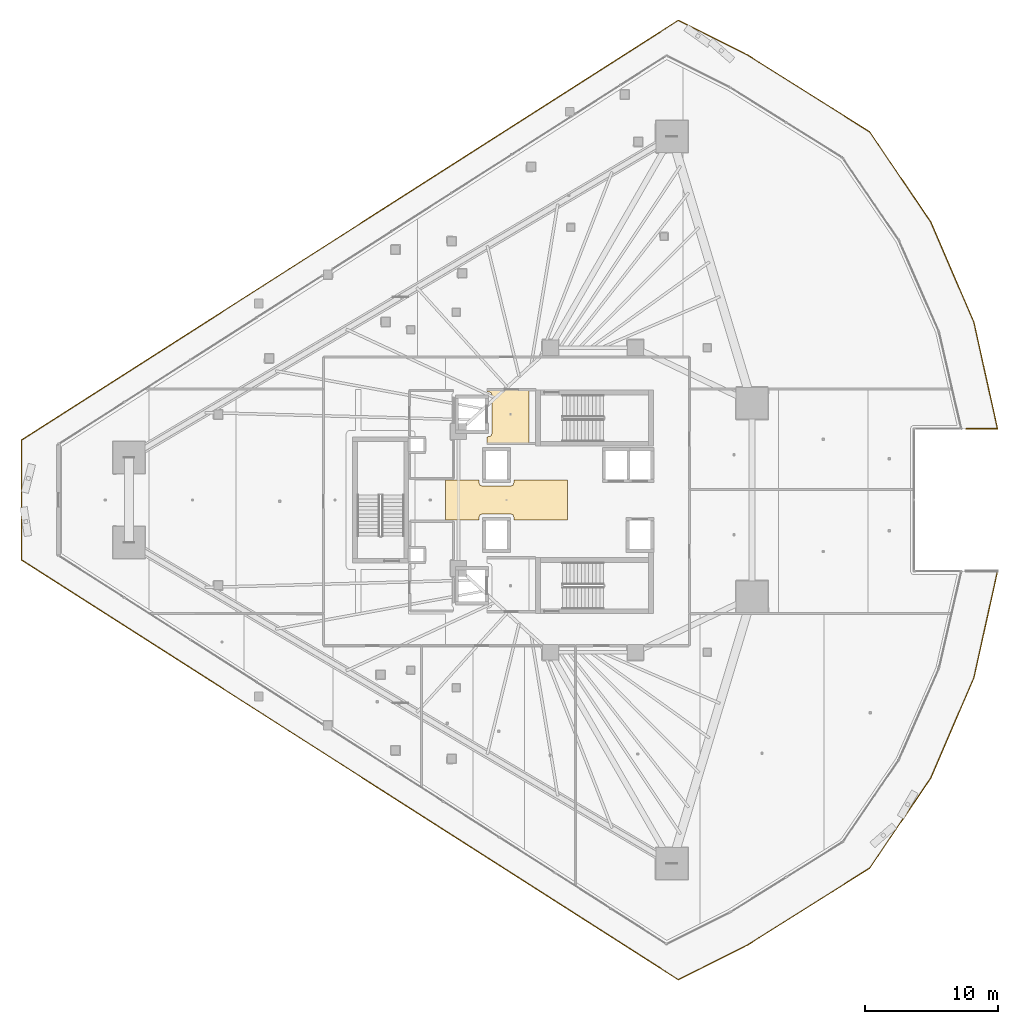
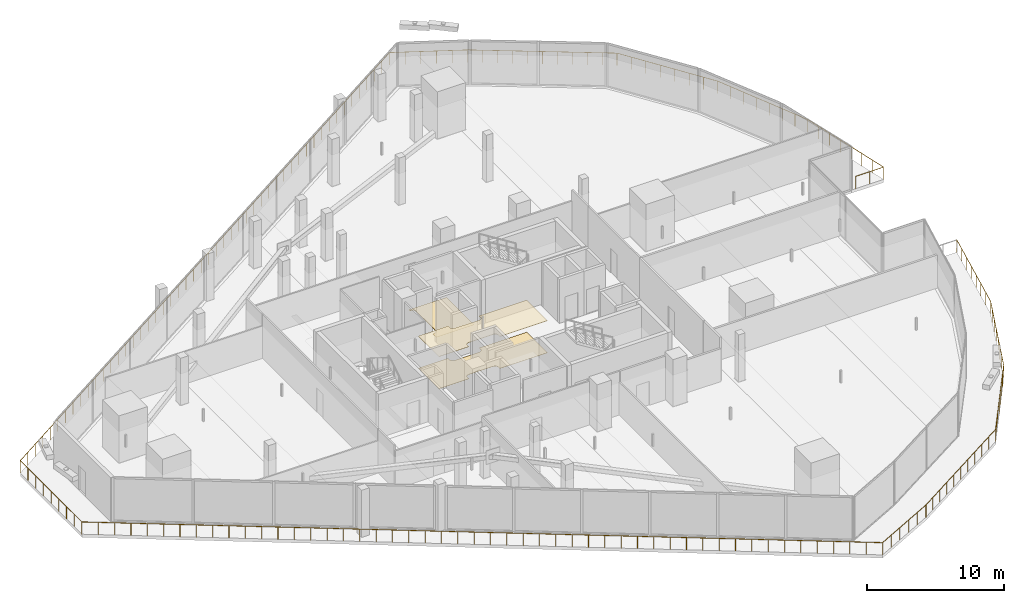
# One storey, part 43 of 45: 3 coverings, 1 railing.
"""IFC4 building model written with IfcOpenShell, lengths in metres."""

from ifc_helpers import new_model, si_unit, direction, frame, origin, origin_2d, place, context, subcontext, project, spatial, polyline, circle, outline, extrude, material, layer, layer_set, type_object, element, save


model = new_model("IFC4")

# Units and contexts
model_context = context("Model", 3, precision=1e-05, world=origin(), true_north=direction((0.0, 1.0)))
body_context = subcontext(model_context, "Body", "Model", "MODEL_VIEW")
ifc_project = project(units=[si_unit("LENGTHUNIT", "METRE"), si_unit("AREAUNIT", "SQUARE_METRE"), si_unit("VOLUMEUNIT", "CUBIC_METRE"), si_unit("PLANEANGLEUNIT", "RADIAN"), si_unit("MASSUNIT", "GRAM", prefix="KILO")], contexts=[model_context])

# Site, building, storey
site_placement = place(None, origin())
site = spatial("IfcSite", under=ifc_project, at=site_placement, CompositionType="ELEMENT")
building_placement = place(site_placement, origin())
building = spatial("IfcBuilding", under=site, at=building_placement, Name="Qorvath Tower", CompositionType="ELEMENT")
storey_placement = place(building_placement, frame((0.0, 0.0, 49.199951171875)))
storey = spatial("IfcBuildingStorey", under=building, at=storey_placement, Name="L10", CompositionType="ELEMENT", Elevation=49.199951171875)

# Coverings
ifc_material_1 = material(Name="Acoustic mineral fibre ceiling tile", Category="gypsum")
ifc_layer_1 = layer(ifc_material_1, 0.030029296875)
ifc_layer_set_1 = layer_set([ifc_layer_1], Name="COV-CEIL")
covering_type_1 = type_object("IfcCoveringType", Name="COV-CEIL", PredefinedType="CEILING", material=ifc_layer_set_1)
covering_1_placement = place(storey_placement, frame((0.0, 0.0, 2.85009765625)))
element("IfcCovering", 1, at=covering_1_placement, inside=storey, type_object=covering_type_1, Name="L10 Suspended Acoustic Ceiling 007", PredefinedType="CEILING", context=body_context, shape_type="SweptSolid", body=[
    extrude(outline(polyline([(-22.318359375, -1.514892578125), (-22.318359375, 1.514892578125), (-26.340087890625, 1.514892578125), (-26.340087890625, 1.2900390625), (-26.413330078125, 1.11328125), (-26.590087890625, 1.0400390625), (-28.7099609375, 1.0400390625), (-28.88671875, 1.11328125), (-28.9599609375, 1.2900390625), (-28.9599609375, 1.514892578125), (-31.481689453125, 1.514892578125), (-31.481689453125, -1.514892578125), (-28.9599609375, -1.514892578125), (-28.9599609375, -1.2900390625), (-28.88671875, -1.11328125), (-28.7099609375, -1.0400390625), (-26.590087890625, -1.0400390625), (-26.413330078125, -1.11328125), (-26.340087890625, -1.2900390625), (-26.340087890625, -1.514892578125), (-22.318359375, -1.514892578125)])), origin(), (0.0, 0.0, 1.0), 0.030029296875),
])
ifc_material_2 = material(Name="Polished epoxy terrazzo flooring", Category="concrete")
ifc_layer_2 = layer(ifc_material_2, 0.02001953125)
ifc_layer_set_2 = layer_set([ifc_layer_2], Name="COV-FLOOR-TRZ")
covering_type_2 = type_object("IfcCoveringType", Name="COV-FLOOR-TRZ", PredefinedType="FLOORING", material=ifc_layer_set_2)
covering_2_placement = place(storey_placement, origin())
element("IfcCovering", 2, at=covering_2_placement, inside=storey, type_object=covering_type_2, Name="L10 Floor Finish 001", PredefinedType="FLOORING", context=body_context, shape_type="SweptSolid", body=[
    extrude(outline(polyline([(-25.18994140625, 4.2548828125), (-25.18994140625, 8.294921875), (-28.375, 8.294921875), (-28.375, 8.159912109375), (-28.063232421875, 8.086669921875), (-27.989990234375, 7.909912109375), (-27.989990234375, 4.989990234375), (-28.063232421875, 4.813232421875), (-28.375, 4.739990234375), (-28.375, 4.2548828125), (-25.18994140625, 4.2548828125)])), origin(), (0.0, 0.0, 1.0), 0.01513671875),
])
covering_3_placement = place(storey_placement, origin())
element("IfcCovering", 3, at=covering_3_placement, inside=storey, type_object=covering_type_2, Name="L10 Floor Finish 007", PredefinedType="FLOORING", context=body_context, shape_type="SweptSolid", body=[
    extrude(outline(polyline([(-22.318359375, -1.514892578125), (-22.318359375, 1.514892578125), (-26.340087890625, 1.514892578125), (-26.340087890625, 1.2900390625), (-26.413330078125, 1.11328125), (-26.590087890625, 1.0400390625), (-28.7099609375, 1.0400390625), (-28.88671875, 1.11328125), (-28.9599609375, 1.2900390625), (-28.9599609375, 1.514892578125), (-31.481689453125, 1.514892578125), (-31.481689453125, -1.514892578125), (-28.9599609375, -1.514892578125), (-28.9599609375, -1.2900390625), (-28.88671875, -1.11328125), (-28.7099609375, -1.0400390625), (-26.590087890625, -1.0400390625), (-26.413330078125, -1.11328125), (-26.340087890625, -1.2900390625), (-26.340087890625, -1.514892578125), (-22.318359375, -1.514892578125)])), origin(), (0.0, 0.0, 1.0), 0.01513671875),
])

# Railing
ifc_material_3 = material(Name="Laminated safety glass and stainless steel AISI 316", Category="steel")
railing_type = type_object("IfcRailingType", Name="RL-EXT-GRD", PredefinedType="GUARDRAIL", material=ifc_material_3)
railing_placement = place(storey_placement, frame((10.030029296875, -5.356689453125, 0.0)))
element("IfcRailing", 4, at=railing_placement, inside=storey, type_object=railing_type, Name="Loggia Perimeter Guardrail L10-1.1", PredefinedType="GUARDRAIL", context=body_context, shape_type="SweptSolid", body=[
    extrude(circle(Radius=0.02392578125, at=origin_2d()), frame((0.0, 0.0, 1.09619140625), z_axis=(-0.216073224213, -0.976377161643, 0.0), x_axis=(0.976377161643, -0.216073224213, 0.0)), (0.0, 0.0, 1.0), 8.203125),
    extrude(circle(Radius=0.02392578125, at=origin_2d()), frame((-1.7724609375, -8.00927734375, 1.09619140625), z_axis=(-0.395484853012, -0.918472498792, 0.0), x_axis=(0.918472498792, -0.395484853012, 0.0)), (0.0, 0.0, 1.0), 8.202880859375),
    extrude(circle(Radius=0.02392578125, at=origin_2d()), frame((-5.0166015625, -15.54345703125, 1.09619140625), z_axis=(-0.560818530713, -0.827938751121, 0.0), x_axis=(0.827938751121, -0.560818530713, 0.0)), (0.0, 0.0, 1.0), 8.202880859375),
    extrude(circle(Radius=0.02392578125, at=origin_2d()), frame((-9.616943359375, -22.3349609375, 1.09619140625), z_axis=(-0.846493615639, -0.532398871789, 0.0), x_axis=(0.532398871789, -0.846493615639, 0.0)), (0.0, 0.0, 1.0), 10.908447265625),
    extrude(circle(Radius=0.02392578125, at=origin_2d()), frame((-18.850830078125, -28.142578125, 1.09619140625), z_axis=(-0.894427191, -0.4472135955, 0.0), x_axis=(0.4472135955, -0.894427191, 0.0)), (0.0, 0.0, 1.0), 5.76220703125),
    extrude(circle(Radius=0.02392578125, at=origin_2d()), frame((-24.004638671875, -30.719482421875, 1.09619140625), z_axis=(-0.842603389568, 0.538534611598, 0.0), x_axis=(-0.538534611598, -0.842603389568, 0.0)), (0.0, 0.0, 1.0), 58.61572265625),
    extrude(circle(Radius=0.02392578125, at=origin_2d()), frame((-73.39453125, 0.84716796875, 1.09619140625), z_axis=(0.0, 1.0, 0.0), x_axis=(-1.0, 0.0, 0.0)), (0.0, 0.0, 1.0), 9.01904296875),
    extrude(circle(Radius=0.02392578125, at=origin_2d()), frame((-73.39453125, 9.8662109375, 1.09619140625), z_axis=(0.842603389568, 0.538534611598, 0.0), x_axis=(-0.538534611598, 0.842603389568, 0.0)), (0.0, 0.0, 1.0), 58.61572265625),
    extrude(circle(Radius=0.02392578125, at=origin_2d()), frame((-24.004638671875, 41.432861328125, 1.09619140625), z_axis=(0.894427191, -0.4472135955, 0.0), x_axis=(0.4472135955, 0.894427191, 0.0)), (0.0, 0.0, 1.0), 5.76220703125),
    extrude(circle(Radius=0.02392578125, at=origin_2d()), frame((-18.850830078125, 38.85595703125, 1.09619140625), z_axis=(0.846493615639, -0.532398871789, 0.0), x_axis=(0.532398871789, 0.846493615639, 0.0)), (0.0, 0.0, 1.0), 10.908447265625),
    extrude(circle(Radius=0.02392578125, at=origin_2d()), frame((-9.616943359375, 33.04833984375, 1.09619140625), z_axis=(0.560818530713, -0.827938751121, 0.0), x_axis=(0.827938751121, 0.560818530713, 0.0)), (0.0, 0.0, 1.0), 8.202880859375),
    extrude(circle(Radius=0.02392578125, at=origin_2d()), frame((-5.0166015625, 26.2568359375, 1.09619140625), z_axis=(0.395484853012, -0.918472498792, 0.0), x_axis=(0.918472498792, 0.395484853012, 0.0)), (0.0, 0.0, 1.0), 8.202880859375),
    extrude(circle(Radius=0.02392578125, at=origin_2d()), frame((-1.7724609375, 18.72265625, 1.09619140625), z_axis=(0.216073224213, -0.976377161643, 0.0), x_axis=(0.976377161643, 0.216073224213, 0.0)), (0.0, 0.0, 1.0), 8.203125),
    extrude(circle(Radius=0.02392578125, at=origin_2d()), frame((0.0, 10.71337890625, 1.09619140625), z_axis=(-1.0, 0.0, 0.0), x_axis=(0.0, -1.0, 0.0)), (0.0, 0.0, 1.0), 2.3662109375),
    extrude(circle(Radius=0.02099609375, at=origin_2d()), origin(), (0.0, 0.0, 1.0), 1.072021484375),
    extrude(circle(Radius=0.02099609375, at=origin_2d()), frame((-0.253173828125, -1.144287109375, 0.0)), (0.0, 0.0, 1.0), 1.072021484375),
    extrude(circle(Radius=0.02099609375, at=origin_2d()), frame((-0.50634765625, -2.288330078125, 0.0)), (0.0, 0.0, 1.0), 1.072021484375),
    extrude(circle(Radius=0.02099609375, at=origin_2d()), frame((-0.759521484375, -3.4326171875, 0.0)), (0.0, 0.0, 1.0), 1.072021484375),
    extrude(circle(Radius=0.02099609375, at=origin_2d()), frame((-1.012939453125, -4.57666015625, 0.0)), (0.0, 0.0, 1.0), 1.072021484375),
    extrude(circle(Radius=0.02099609375, at=origin_2d()), frame((-1.26611328125, -5.720947265625, 0.0)), (0.0, 0.0, 1.0), 1.072021484375),
    extrude(circle(Radius=0.02099609375, at=origin_2d()), frame((-1.519287109375, -6.864990234375, 0.0)), (0.0, 0.0, 1.0), 1.072021484375),
    extrude(circle(Radius=0.02099609375, at=origin_2d()), frame((-1.7724609375, -8.00927734375, 0.0)), (0.0, 0.0, 1.0), 1.072021484375),
    extrude(circle(Radius=0.02099609375, at=origin_2d()), frame((-2.23583984375, -9.085693359375, 0.0)), (0.0, 0.0, 1.0), 1.072021484375),
    extrude(circle(Radius=0.02099609375, at=origin_2d()), frame((-2.699462890625, -10.161865234375, 0.0)), (0.0, 0.0, 1.0), 1.072021484375),
    extrude(circle(Radius=0.02099609375, at=origin_2d()), frame((-3.162841796875, -11.23828125, 0.0)), (0.0, 0.0, 1.0), 1.072021484375),
    extrude(circle(Radius=0.02099609375, at=origin_2d()), frame((-3.626220703125, -12.314453125, 0.0)), (0.0, 0.0, 1.0), 1.072021484375),
    extrude(circle(Radius=0.02099609375, at=origin_2d()), frame((-4.089599609375, -13.390869140625, 0.0)), (0.0, 0.0, 1.0), 1.072021484375),
    extrude(circle(Radius=0.02099609375, at=origin_2d()), frame((-4.55322265625, -14.467041015625, 0.0)), (0.0, 0.0, 1.0), 1.072021484375),
    extrude(circle(Radius=0.02099609375, at=origin_2d()), frame((-5.0166015625, -15.54345703125, 0.0)), (0.0, 0.0, 1.0), 1.072021484375),
    extrude(circle(Radius=0.02099609375, at=origin_2d()), frame((-5.673828125, -16.513671875, 0.0)), (0.0, 0.0, 1.0), 1.072021484375),
    extrude(circle(Radius=0.02099609375, at=origin_2d()), frame((-6.3310546875, -17.48388671875, 0.0)), (0.0, 0.0, 1.0), 1.072021484375),
    extrude(circle(Radius=0.02099609375, at=origin_2d()), frame((-6.98828125, -18.4541015625, 0.0)), (0.0, 0.0, 1.0), 1.072021484375),
    extrude(circle(Radius=0.02099609375, at=origin_2d()), frame((-7.645263671875, -19.42431640625, 0.0)), (0.0, 0.0, 1.0), 1.072021484375),
    extrude(circle(Radius=0.02099609375, at=origin_2d()), frame((-8.302490234375, -20.39453125, 0.0)), (0.0, 0.0, 1.0), 1.072021484375),
    extrude(circle(Radius=0.02099609375, at=origin_2d()), frame((-8.959716796875, -21.36474609375, 0.0)), (0.0, 0.0, 1.0), 1.072021484375),
    extrude(circle(Radius=0.02099609375, at=origin_2d()), frame((-9.616943359375, -22.3349609375, 0.0)), (0.0, 0.0, 1.0), 1.072021484375),
    extrude(circle(Radius=0.02099609375, at=origin_2d()), frame((-10.540283203125, -22.915771484375, 0.0)), (0.0, 0.0, 1.0), 1.072021484375),
    extrude(circle(Radius=0.02099609375, at=origin_2d()), frame((-11.463623046875, -23.49658203125, 0.0)), (0.0, 0.0, 1.0), 1.072021484375),
    extrude(circle(Radius=0.02099609375, at=origin_2d()), frame((-12.38720703125, -24.0771484375, 0.0)), (0.0, 0.0, 1.0), 1.072021484375),
    extrude(circle(Radius=0.02099609375, at=origin_2d()), frame((-13.310546875, -24.657958984375, 0.0)), (0.0, 0.0, 1.0), 1.072021484375),
    extrude(circle(Radius=0.02099609375, at=origin_2d()), frame((-14.23388671875, -25.23876953125, 0.0)), (0.0, 0.0, 1.0), 1.072021484375),
    extrude(circle(Radius=0.02099609375, at=origin_2d()), frame((-15.1572265625, -25.819580078125, 0.0)), (0.0, 0.0, 1.0), 1.072021484375),
    extrude(circle(Radius=0.02099609375, at=origin_2d()), frame((-16.08056640625, -26.400390625, 0.0)), (0.0, 0.0, 1.0), 1.072021484375),
    extrude(circle(Radius=0.02099609375, at=origin_2d()), frame((-17.004150390625, -26.98095703125, 0.0)), (0.0, 0.0, 1.0), 1.072021484375),
    extrude(circle(Radius=0.02099609375, at=origin_2d()), frame((-17.927490234375, -27.561767578125, 0.0)), (0.0, 0.0, 1.0), 1.072021484375),
    extrude(circle(Radius=0.02099609375, at=origin_2d()), frame((-18.850830078125, -28.142578125, 0.0)), (0.0, 0.0, 1.0), 1.072021484375),
    extrude(circle(Radius=0.02099609375, at=origin_2d()), frame((-19.881591796875, -28.657958984375, 0.0)), (0.0, 0.0, 1.0), 1.072021484375),
    extrude(circle(Radius=0.02099609375, at=origin_2d()), frame((-20.912353515625, -29.17333984375, 0.0)), (0.0, 0.0, 1.0), 1.072021484375),
    extrude(circle(Radius=0.02099609375, at=origin_2d()), frame((-21.943115234375, -29.688720703125, 0.0)), (0.0, 0.0, 1.0), 1.072021484375),
    extrude(circle(Radius=0.02099609375, at=origin_2d()), frame((-22.973876953125, -30.2041015625, 0.0)), (0.0, 0.0, 1.0), 1.072021484375),
    extrude(circle(Radius=0.02099609375, at=origin_2d()), frame((-24.004638671875, -30.719482421875, 0.0)), (0.0, 0.0, 1.0), 1.072021484375),
    extrude(circle(Radius=0.02099609375, at=origin_2d()), frame((-25.0126953125, -30.0751953125, 0.0)), (0.0, 0.0, 1.0), 1.072021484375),
    extrude(circle(Radius=0.02099609375, at=origin_2d()), frame((-26.0205078125, -29.43115234375, 0.0)), (0.0, 0.0, 1.0), 1.072021484375),
    extrude(circle(Radius=0.02099609375, at=origin_2d()), frame((-27.028564453125, -28.786865234375, 0.0)), (0.0, 0.0, 1.0), 1.072021484375),
    extrude(circle(Radius=0.02099609375, at=origin_2d()), frame((-28.036376953125, -28.142578125, 0.0)), (0.0, 0.0, 1.0), 1.072021484375),
    extrude(circle(Radius=0.02099609375, at=origin_2d()), frame((-29.04443359375, -27.498291015625, 0.0)), (0.0, 0.0, 1.0), 1.072021484375),
    extrude(circle(Radius=0.02099609375, at=origin_2d()), frame((-30.052490234375, -26.854248046875, 0.0)), (0.0, 0.0, 1.0), 1.072021484375),
    extrude(circle(Radius=0.02099609375, at=origin_2d()), frame((-31.060302734375, -26.2099609375, 0.0)), (0.0, 0.0, 1.0), 1.072021484375),
    extrude(circle(Radius=0.02099609375, at=origin_2d()), frame((-32.068359375, -25.565673828125, 0.0)), (0.0, 0.0, 1.0), 1.072021484375),
    extrude(circle(Radius=0.02099609375, at=origin_2d()), frame((-33.076171875, -24.921630859375, 0.0)), (0.0, 0.0, 1.0), 1.072021484375),
    extrude(circle(Radius=0.02099609375, at=origin_2d()), frame((-34.084228515625, -24.27734375, 0.0)), (0.0, 0.0, 1.0), 1.072021484375),
    extrude(circle(Radius=0.02099609375, at=origin_2d()), frame((-35.09228515625, -23.633056640625, 0.0)), (0.0, 0.0, 1.0), 1.072021484375),
    extrude(circle(Radius=0.02099609375, at=origin_2d()), frame((-36.10009765625, -22.98876953125, 0.0)), (0.0, 0.0, 1.0), 1.072021484375),
    extrude(circle(Radius=0.02099609375, at=origin_2d()), frame((-37.108154296875, -22.3447265625, 0.0)), (0.0, 0.0, 1.0), 1.072021484375),
    extrude(circle(Radius=0.02099609375, at=origin_2d()), frame((-38.115966796875, -21.700439453125, 0.0)), (0.0, 0.0, 1.0), 1.072021484375),
    extrude(circle(Radius=0.02099609375, at=origin_2d()), frame((-39.1240234375, -21.05615234375, 0.0)), (0.0, 0.0, 1.0), 1.072021484375),
    extrude(circle(Radius=0.02099609375, at=origin_2d()), frame((-40.1318359375, -20.412109375, 0.0)), (0.0, 0.0, 1.0), 1.072021484375),
    extrude(circle(Radius=0.02099609375, at=origin_2d()), frame((-41.139892578125, -19.767822265625, 0.0)), (0.0, 0.0, 1.0), 1.072021484375),
    extrude(circle(Radius=0.02099609375, at=origin_2d()), frame((-42.14794921875, -19.12353515625, 0.0)), (0.0, 0.0, 1.0), 1.072021484375),
    extrude(circle(Radius=0.02099609375, at=origin_2d()), frame((-43.15576171875, -18.479248046875, 0.0)), (0.0, 0.0, 1.0), 1.072021484375),
    extrude(circle(Radius=0.02099609375, at=origin_2d()), frame((-44.163818359375, -17.835205078125, 0.0)), (0.0, 0.0, 1.0), 1.072021484375),
    extrude(circle(Radius=0.02099609375, at=origin_2d()), frame((-45.171630859375, -17.19091796875, 0.0)), (0.0, 0.0, 1.0), 1.072021484375),
    extrude(circle(Radius=0.02099609375, at=origin_2d()), frame((-46.1796875, -16.546630859375, 0.0)), (0.0, 0.0, 1.0), 1.072021484375),
    extrude(circle(Radius=0.02099609375, at=origin_2d()), frame((-47.187744140625, -15.902587890625, 0.0)), (0.0, 0.0, 1.0), 1.072021484375),
    extrude(circle(Radius=0.02099609375, at=origin_2d()), frame((-48.195556640625, -15.25830078125, 0.0)), (0.0, 0.0, 1.0), 1.072021484375),
    extrude(circle(Radius=0.02099609375, at=origin_2d()), frame((-49.20361328125, -14.614013671875, 0.0)), (0.0, 0.0, 1.0), 1.072021484375),
    extrude(circle(Radius=0.02099609375, at=origin_2d()), frame((-50.21142578125, -13.9697265625, 0.0)), (0.0, 0.0, 1.0), 1.072021484375),
    extrude(circle(Radius=0.02099609375, at=origin_2d()), frame((-51.219482421875, -13.32568359375, 0.0)), (0.0, 0.0, 1.0), 1.072021484375),
    extrude(circle(Radius=0.02099609375, at=origin_2d()), frame((-52.2275390625, -12.681396484375, 0.0)), (0.0, 0.0, 1.0), 1.072021484375),
    extrude(circle(Radius=0.02099609375, at=origin_2d()), frame((-53.2353515625, -12.037109375, 0.0)), (0.0, 0.0, 1.0), 1.072021484375),
    extrude(circle(Radius=0.02099609375, at=origin_2d()), frame((-54.243408203125, -11.39306640625, 0.0)), (0.0, 0.0, 1.0), 1.072021484375),
    extrude(circle(Radius=0.02099609375, at=origin_2d()), frame((-55.251220703125, -10.748779296875, 0.0)), (0.0, 0.0, 1.0), 1.072021484375),
    extrude(circle(Radius=0.02099609375, at=origin_2d()), frame((-56.25927734375, -10.1044921875, 0.0)), (0.0, 0.0, 1.0), 1.072021484375),
    extrude(circle(Radius=0.02099609375, at=origin_2d()), frame((-57.267333984375, -9.460205078125, 0.0)), (0.0, 0.0, 1.0), 1.072021484375),
    extrude(circle(Radius=0.02099609375, at=origin_2d()), frame((-58.275146484375, -8.816162109375, 0.0)), (0.0, 0.0, 1.0), 1.072021484375),
    extrude(circle(Radius=0.02099609375, at=origin_2d()), frame((-59.283203125, -8.171875, 0.0)), (0.0, 0.0, 1.0), 1.072021484375),
    extrude(circle(Radius=0.02099609375, at=origin_2d()), frame((-60.291015625, -7.527587890625, 0.0)), (0.0, 0.0, 1.0), 1.072021484375),
    extrude(circle(Radius=0.02099609375, at=origin_2d()), frame((-61.299072265625, -6.883544921875, 0.0)), (0.0, 0.0, 1.0), 1.072021484375),
    extrude(circle(Radius=0.02099609375, at=origin_2d()), frame((-62.306884765625, -6.2392578125, 0.0)), (0.0, 0.0, 1.0), 1.072021484375),
    extrude(circle(Radius=0.02099609375, at=origin_2d()), frame((-63.31494140625, -5.594970703125, 0.0)), (0.0, 0.0, 1.0), 1.072021484375),
    extrude(circle(Radius=0.02099609375, at=origin_2d()), frame((-64.322998046875, -4.95068359375, 0.0)), (0.0, 0.0, 1.0), 1.072021484375),
    extrude(circle(Radius=0.02099609375, at=origin_2d()), frame((-65.330810546875, -4.306640625, 0.0)), (0.0, 0.0, 1.0), 1.072021484375),
    extrude(circle(Radius=0.02099609375, at=origin_2d()), frame((-66.3388671875, -3.662353515625, 0.0)), (0.0, 0.0, 1.0), 1.072021484375),
    extrude(circle(Radius=0.02099609375, at=origin_2d()), frame((-67.3466796875, -3.01806640625, 0.0)), (0.0, 0.0, 1.0), 1.072021484375),
    extrude(circle(Radius=0.02099609375, at=origin_2d()), frame((-68.354736328125, -2.3740234375, 0.0)), (0.0, 0.0, 1.0), 1.072021484375),
    extrude(circle(Radius=0.02099609375, at=origin_2d()), frame((-69.36279296875, -1.729736328125, 0.0)), (0.0, 0.0, 1.0), 1.072021484375),
    extrude(circle(Radius=0.02099609375, at=origin_2d()), frame((-70.37060546875, -1.08544921875, 0.0)), (0.0, 0.0, 1.0), 1.072021484375),
    extrude(circle(Radius=0.02099609375, at=origin_2d()), frame((-71.378662109375, -0.441162109375, 0.0)), (0.0, 0.0, 1.0), 1.072021484375),
    extrude(circle(Radius=0.02099609375, at=origin_2d()), frame((-72.386474609375, 0.202880859375, 0.0)), (0.0, 0.0, 1.0), 1.072021484375),
    extrude(circle(Radius=0.02099609375, at=origin_2d()), frame((-73.39453125, 0.84716796875, 0.0)), (0.0, 0.0, 1.0), 1.072021484375),
    extrude(circle(Radius=0.02099609375, at=origin_2d()), frame((-73.39453125, 1.974609375, 0.0)), (0.0, 0.0, 1.0), 1.072021484375),
    extrude(circle(Radius=0.02099609375, at=origin_2d()), frame((-73.39453125, 3.10205078125, 0.0)), (0.0, 0.0, 1.0), 1.072021484375),
    extrude(circle(Radius=0.02099609375, at=origin_2d()), frame((-73.39453125, 4.229248046875, 0.0)), (0.0, 0.0, 1.0), 1.072021484375),
    extrude(circle(Radius=0.02099609375, at=origin_2d()), frame((-73.39453125, 5.356689453125, 0.0)), (0.0, 0.0, 1.0), 1.072021484375),
    extrude(circle(Radius=0.02099609375, at=origin_2d()), frame((-73.39453125, 6.484130859375, 0.0)), (0.0, 0.0, 1.0), 1.072021484375),
    extrude(circle(Radius=0.02099609375, at=origin_2d()), frame((-73.39453125, 7.611328125, 0.0)), (0.0, 0.0, 1.0), 1.072021484375),
    extrude(circle(Radius=0.02099609375, at=origin_2d()), frame((-73.39453125, 8.73876953125, 0.0)), (0.0, 0.0, 1.0), 1.072021484375),
    extrude(circle(Radius=0.02099609375, at=origin_2d()), frame((-73.39453125, 9.8662109375, 0.0)), (0.0, 0.0, 1.0), 1.072021484375),
    extrude(circle(Radius=0.02099609375, at=origin_2d()), frame((-72.386474609375, 10.510498046875, 0.0)), (0.0, 0.0, 1.0), 1.072021484375),
    extrude(circle(Radius=0.02099609375, at=origin_2d()), frame((-71.378662109375, 11.154541015625, 0.0)), (0.0, 0.0, 1.0), 1.072021484375),
    extrude(circle(Radius=0.02099609375, at=origin_2d()), frame((-70.37060546875, 11.798828125, 0.0)), (0.0, 0.0, 1.0), 1.072021484375),
    extrude(circle(Radius=0.02099609375, at=origin_2d()), frame((-69.36279296875, 12.443115234375, 0.0)), (0.0, 0.0, 1.0), 1.072021484375),
    extrude(circle(Radius=0.02099609375, at=origin_2d()), frame((-68.354736328125, 13.08740234375, 0.0)), (0.0, 0.0, 1.0), 1.072021484375),
    extrude(circle(Radius=0.02099609375, at=origin_2d()), frame((-67.3466796875, 13.7314453125, 0.0)), (0.0, 0.0, 1.0), 1.072021484375),
    extrude(circle(Radius=0.02099609375, at=origin_2d()), frame((-66.3388671875, 14.375732421875, 0.0)), (0.0, 0.0, 1.0), 1.072021484375),
    extrude(circle(Radius=0.02099609375, at=origin_2d()), frame((-65.330810546875, 15.02001953125, 0.0)), (0.0, 0.0, 1.0), 1.072021484375),
    extrude(circle(Radius=0.02099609375, at=origin_2d()), frame((-64.322998046875, 15.6640625, 0.0)), (0.0, 0.0, 1.0), 1.072021484375),
    extrude(circle(Radius=0.02099609375, at=origin_2d()), frame((-63.31494140625, 16.308349609375, 0.0)), (0.0, 0.0, 1.0), 1.072021484375),
    extrude(circle(Radius=0.02099609375, at=origin_2d()), frame((-62.306884765625, 16.95263671875, 0.0)), (0.0, 0.0, 1.0), 1.072021484375),
    extrude(circle(Radius=0.02099609375, at=origin_2d()), frame((-61.299072265625, 17.596923828125, 0.0)), (0.0, 0.0, 1.0), 1.072021484375),
    extrude(circle(Radius=0.02099609375, at=origin_2d()), frame((-60.291015625, 18.240966796875, 0.0)), (0.0, 0.0, 1.0), 1.072021484375),
    extrude(circle(Radius=0.02099609375, at=origin_2d()), frame((-59.283203125, 18.88525390625, 0.0)), (0.0, 0.0, 1.0), 1.072021484375),
    extrude(circle(Radius=0.02099609375, at=origin_2d()), frame((-58.275146484375, 19.529541015625, 0.0)), (0.0, 0.0, 1.0), 1.072021484375),
    extrude(circle(Radius=0.02099609375, at=origin_2d()), frame((-57.267333984375, 20.173583984375, 0.0)), (0.0, 0.0, 1.0), 1.072021484375),
    extrude(circle(Radius=0.02099609375, at=origin_2d()), frame((-56.25927734375, 20.81787109375, 0.0)), (0.0, 0.0, 1.0), 1.072021484375),
    extrude(circle(Radius=0.02099609375, at=origin_2d()), frame((-55.251220703125, 21.462158203125, 0.0)), (0.0, 0.0, 1.0), 1.072021484375),
    extrude(circle(Radius=0.02099609375, at=origin_2d()), frame((-54.243408203125, 22.1064453125, 0.0)), (0.0, 0.0, 1.0), 1.072021484375),
    extrude(circle(Radius=0.02099609375, at=origin_2d()), frame((-53.2353515625, 22.75048828125, 0.0)), (0.0, 0.0, 1.0), 1.072021484375),
    extrude(circle(Radius=0.02099609375, at=origin_2d()), frame((-52.2275390625, 23.394775390625, 0.0)), (0.0, 0.0, 1.0), 1.072021484375),
    extrude(circle(Radius=0.02099609375, at=origin_2d()), frame((-51.219482421875, 24.0390625, 0.0)), (0.0, 0.0, 1.0), 1.072021484375),
    extrude(circle(Radius=0.02099609375, at=origin_2d()), frame((-50.21142578125, 24.68310546875, 0.0)), (0.0, 0.0, 1.0), 1.072021484375),
    extrude(circle(Radius=0.02099609375, at=origin_2d()), frame((-49.20361328125, 25.327392578125, 0.0)), (0.0, 0.0, 1.0), 1.072021484375),
    extrude(circle(Radius=0.02099609375, at=origin_2d()), frame((-48.195556640625, 25.9716796875, 0.0)), (0.0, 0.0, 1.0), 1.072021484375),
    extrude(circle(Radius=0.02099609375, at=origin_2d()), frame((-47.187744140625, 26.615966796875, 0.0)), (0.0, 0.0, 1.0), 1.072021484375),
    extrude(circle(Radius=0.02099609375, at=origin_2d()), frame((-46.1796875, 27.260009765625, 0.0)), (0.0, 0.0, 1.0), 1.072021484375),
    extrude(circle(Radius=0.02099609375, at=origin_2d()), frame((-45.171630859375, 27.904296875, 0.0)), (0.0, 0.0, 1.0), 1.072021484375),
    extrude(circle(Radius=0.02099609375, at=origin_2d()), frame((-44.163818359375, 28.548583984375, 0.0)), (0.0, 0.0, 1.0), 1.072021484375),
    extrude(circle(Radius=0.02099609375, at=origin_2d()), frame((-43.15576171875, 29.192626953125, 0.0)), (0.0, 0.0, 1.0), 1.072021484375),
    extrude(circle(Radius=0.02099609375, at=origin_2d()), frame((-42.14794921875, 29.8369140625, 0.0)), (0.0, 0.0, 1.0), 1.072021484375),
    extrude(circle(Radius=0.02099609375, at=origin_2d()), frame((-41.139892578125, 30.481201171875, 0.0)), (0.0, 0.0, 1.0), 1.072021484375),
    extrude(circle(Radius=0.02099609375, at=origin_2d()), frame((-40.1318359375, 31.12548828125, 0.0)), (0.0, 0.0, 1.0), 1.072021484375),
    extrude(circle(Radius=0.02099609375, at=origin_2d()), frame((-39.1240234375, 31.76953125, 0.0)), (0.0, 0.0, 1.0), 1.072021484375),
    extrude(circle(Radius=0.02099609375, at=origin_2d()), frame((-38.115966796875, 32.413818359375, 0.0)), (0.0, 0.0, 1.0), 1.072021484375),
    extrude(circle(Radius=0.02099609375, at=origin_2d()), frame((-37.108154296875, 33.05810546875, 0.0)), (0.0, 0.0, 1.0), 1.072021484375),
    extrude(circle(Radius=0.02099609375, at=origin_2d()), frame((-36.10009765625, 33.7021484375, 0.0)), (0.0, 0.0, 1.0), 1.072021484375),
    extrude(circle(Radius=0.02099609375, at=origin_2d()), frame((-35.09228515625, 34.346435546875, 0.0)), (0.0, 0.0, 1.0), 1.072021484375),
    extrude(circle(Radius=0.02099609375, at=origin_2d()), frame((-34.084228515625, 34.99072265625, 0.0)), (0.0, 0.0, 1.0), 1.072021484375),
    extrude(circle(Radius=0.02099609375, at=origin_2d()), frame((-33.076171875, 35.635009765625, 0.0)), (0.0, 0.0, 1.0), 1.072021484375),
    extrude(circle(Radius=0.02099609375, at=origin_2d()), frame((-32.068359375, 36.279052734375, 0.0)), (0.0, 0.0, 1.0), 1.072021484375),
    extrude(circle(Radius=0.02099609375, at=origin_2d()), frame((-31.060302734375, 36.92333984375, 0.0)), (0.0, 0.0, 1.0), 1.072021484375),
    extrude(circle(Radius=0.02099609375, at=origin_2d()), frame((-30.052490234375, 37.567626953125, 0.0)), (0.0, 0.0, 1.0), 1.072021484375),
    extrude(circle(Radius=0.02099609375, at=origin_2d()), frame((-29.04443359375, 38.211669921875, 0.0)), (0.0, 0.0, 1.0), 1.072021484375),
    extrude(circle(Radius=0.02099609375, at=origin_2d()), frame((-28.036376953125, 38.85595703125, 0.0)), (0.0, 0.0, 1.0), 1.072021484375),
    extrude(circle(Radius=0.02099609375, at=origin_2d()), frame((-27.028564453125, 39.500244140625, 0.0)), (0.0, 0.0, 1.0), 1.072021484375),
    extrude(circle(Radius=0.02099609375, at=origin_2d()), frame((-26.0205078125, 40.14453125, 0.0)), (0.0, 0.0, 1.0), 1.072021484375),
    extrude(circle(Radius=0.02099609375, at=origin_2d()), frame((-25.0126953125, 40.78857421875, 0.0)), (0.0, 0.0, 1.0), 1.072021484375),
    extrude(circle(Radius=0.02099609375, at=origin_2d()), frame((-24.004638671875, 41.432861328125, 0.0)), (0.0, 0.0, 1.0), 1.072021484375),
    extrude(circle(Radius=0.02099609375, at=origin_2d()), frame((-22.973876953125, 40.91748046875, 0.0)), (0.0, 0.0, 1.0), 1.072021484375),
    extrude(circle(Radius=0.02099609375, at=origin_2d()), frame((-21.943115234375, 40.402099609375, 0.0)), (0.0, 0.0, 1.0), 1.072021484375),
    extrude(circle(Radius=0.02099609375, at=origin_2d()), frame((-20.912353515625, 39.88671875, 0.0)), (0.0, 0.0, 1.0), 1.072021484375),
    extrude(circle(Radius=0.02099609375, at=origin_2d()), frame((-19.881591796875, 39.371337890625, 0.0)), (0.0, 0.0, 1.0), 1.072021484375),
    extrude(circle(Radius=0.02099609375, at=origin_2d()), frame((-18.850830078125, 38.85595703125, 0.0)), (0.0, 0.0, 1.0), 1.072021484375),
    extrude(circle(Radius=0.02099609375, at=origin_2d()), frame((-17.927490234375, 38.275146484375, 0.0)), (0.0, 0.0, 1.0), 1.072021484375),
    extrude(circle(Radius=0.02099609375, at=origin_2d()), frame((-17.004150390625, 37.6943359375, 0.0)), (0.0, 0.0, 1.0), 1.072021484375),
    extrude(circle(Radius=0.02099609375, at=origin_2d()), frame((-16.08056640625, 37.11376953125, 0.0)), (0.0, 0.0, 1.0), 1.072021484375),
    extrude(circle(Radius=0.02099609375, at=origin_2d()), frame((-15.1572265625, 36.532958984375, 0.0)), (0.0, 0.0, 1.0), 1.072021484375),
    extrude(circle(Radius=0.02099609375, at=origin_2d()), frame((-14.23388671875, 35.9521484375, 0.0)), (0.0, 0.0, 1.0), 1.072021484375),
    extrude(circle(Radius=0.02099609375, at=origin_2d()), frame((-13.310546875, 35.371337890625, 0.0)), (0.0, 0.0, 1.0), 1.072021484375),
    extrude(circle(Radius=0.02099609375, at=origin_2d()), frame((-12.38720703125, 34.79052734375, 0.0)), (0.0, 0.0, 1.0), 1.072021484375),
    extrude(circle(Radius=0.02099609375, at=origin_2d()), frame((-11.463623046875, 34.2099609375, 0.0)), (0.0, 0.0, 1.0), 1.072021484375),
    extrude(circle(Radius=0.02099609375, at=origin_2d()), frame((-10.540283203125, 33.629150390625, 0.0)), (0.0, 0.0, 1.0), 1.072021484375),
    extrude(circle(Radius=0.02099609375, at=origin_2d()), frame((-9.616943359375, 33.04833984375, 0.0)), (0.0, 0.0, 1.0), 1.072021484375),
    extrude(circle(Radius=0.02099609375, at=origin_2d()), frame((-8.959716796875, 32.078125, 0.0)), (0.0, 0.0, 1.0), 1.072021484375),
    extrude(circle(Radius=0.02099609375, at=origin_2d()), frame((-8.302490234375, 31.10791015625, 0.0)), (0.0, 0.0, 1.0), 1.072021484375),
    extrude(circle(Radius=0.02099609375, at=origin_2d()), frame((-7.645263671875, 30.1376953125, 0.0)), (0.0, 0.0, 1.0), 1.072021484375),
    extrude(circle(Radius=0.02099609375, at=origin_2d()), frame((-6.98828125, 29.16748046875, 0.0)), (0.0, 0.0, 1.0), 1.072021484375),
    extrude(circle(Radius=0.02099609375, at=origin_2d()), frame((-6.3310546875, 28.197265625, 0.0)), (0.0, 0.0, 1.0), 1.072021484375),
    extrude(circle(Radius=0.02099609375, at=origin_2d()), frame((-5.673828125, 27.22705078125, 0.0)), (0.0, 0.0, 1.0), 1.072021484375),
    extrude(circle(Radius=0.02099609375, at=origin_2d()), frame((-5.0166015625, 26.2568359375, 0.0)), (0.0, 0.0, 1.0), 1.072021484375),
    extrude(circle(Radius=0.02099609375, at=origin_2d()), frame((-4.55322265625, 25.180419921875, 0.0)), (0.0, 0.0, 1.0), 1.072021484375),
    extrude(circle(Radius=0.02099609375, at=origin_2d()), frame((-4.089599609375, 24.104248046875, 0.0)), (0.0, 0.0, 1.0), 1.072021484375),
    extrude(circle(Radius=0.02099609375, at=origin_2d()), frame((-3.626220703125, 23.02783203125, 0.0)), (0.0, 0.0, 1.0), 1.072021484375),
    extrude(circle(Radius=0.02099609375, at=origin_2d()), frame((-3.162841796875, 21.95166015625, 0.0)), (0.0, 0.0, 1.0), 1.072021484375),
    extrude(circle(Radius=0.02099609375, at=origin_2d()), frame((-2.699462890625, 20.875244140625, 0.0)), (0.0, 0.0, 1.0), 1.072021484375),
    extrude(circle(Radius=0.02099609375, at=origin_2d()), frame((-2.23583984375, 19.799072265625, 0.0)), (0.0, 0.0, 1.0), 1.072021484375),
    extrude(circle(Radius=0.02099609375, at=origin_2d()), frame((-1.7724609375, 18.72265625, 0.0)), (0.0, 0.0, 1.0), 1.072021484375),
    extrude(circle(Radius=0.02099609375, at=origin_2d()), frame((-1.519287109375, 17.578369140625, 0.0)), (0.0, 0.0, 1.0), 1.072021484375),
    extrude(circle(Radius=0.02099609375, at=origin_2d()), frame((-1.26611328125, 16.434326171875, 0.0)), (0.0, 0.0, 1.0), 1.072021484375),
    extrude(circle(Radius=0.02099609375, at=origin_2d()), frame((-1.012939453125, 15.2900390625, 0.0)), (0.0, 0.0, 1.0), 1.072021484375),
    extrude(circle(Radius=0.02099609375, at=origin_2d()), frame((-0.759521484375, 14.14599609375, 0.0)), (0.0, 0.0, 1.0), 1.072021484375),
    extrude(circle(Radius=0.02099609375, at=origin_2d()), frame((-0.50634765625, 13.001708984375, 0.0)), (0.0, 0.0, 1.0), 1.072021484375),
    extrude(circle(Radius=0.02099609375, at=origin_2d()), frame((-0.253173828125, 11.857666015625, 0.0)), (0.0, 0.0, 1.0), 1.072021484375),
    extrude(circle(Radius=0.02099609375, at=origin_2d()), frame((0.0, 10.71337890625, 0.0)), (0.0, 0.0, 1.0), 1.072021484375),
    extrude(circle(Radius=0.02099609375, at=origin_2d()), frame((-1.18310546875, 10.71337890625, 0.0)), (0.0, 0.0, 1.0), 1.072021484375),
    extrude(circle(Radius=0.02099609375, at=origin_2d()), frame((-2.3662109375, 10.71337890625, 0.0)), (0.0, 0.0, 1.0), 1.072021484375),
])

save(model, "model.ifc")
